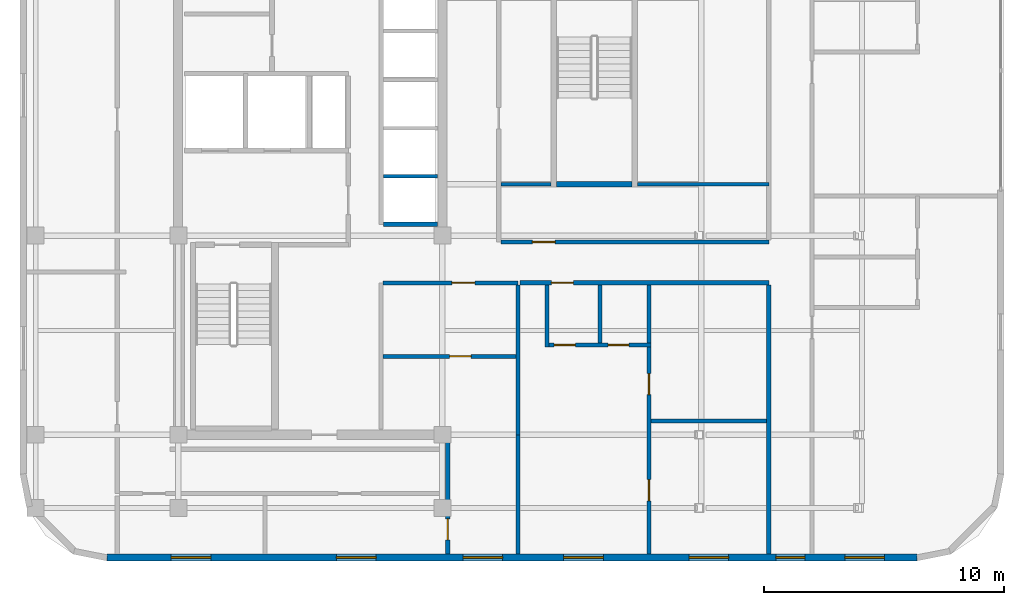
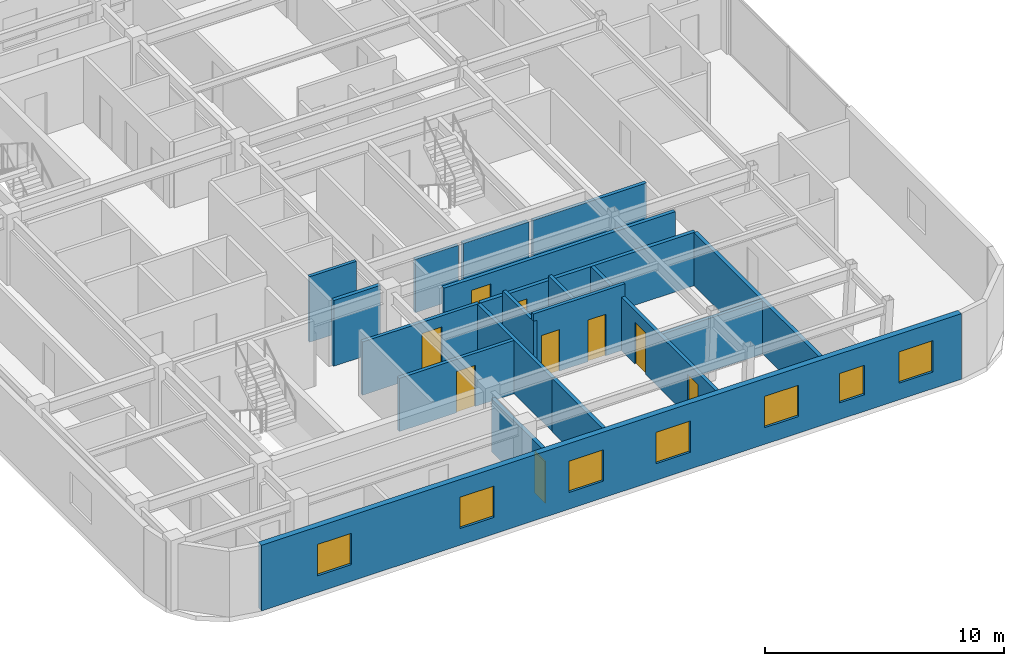
# One storey, part 4 of 9: 19 walls, 9 doors, 7 windows, 16 openings.
"""IFC4 building model written with IfcOpenShell, lengths in metres."""

from ifc_helpers import new_model, si_unit, direction, frame, frame_2d, origin, place, context, subcontext, project, spatial, rectangle, extrude, material, layer, layer_set, type_object, element, fill, save


model = new_model("IFC4")

# Units and contexts
model_context = context("Model", 3, precision=1e-05, world=origin(), true_north=direction((0.0, 1.0)))
body_context = subcontext(model_context, "Body", "Model", "MODEL_VIEW")
ifc_project = project(units=[si_unit("LENGTHUNIT", "METRE"), si_unit("AREAUNIT", "SQUARE_METRE"), si_unit("VOLUMEUNIT", "CUBIC_METRE"), si_unit("PLANEANGLEUNIT", "RADIAN"), si_unit("MASSUNIT", "GRAM", prefix="KILO")], contexts=[model_context])

# Site, building, storey
site_placement = place(None, origin())
site = spatial("IfcSite", under=ifc_project, at=site_placement, CompositionType="ELEMENT")
building_placement = place(site_placement, origin())
building = spatial("IfcBuilding", under=site, at=building_placement, Name="Ochreholt Gables", CompositionType="ELEMENT")
storey_placement = place(building_placement, frame((0.0, 0.0, 169.800048828125)))
storey = spatial("IfcBuildingStorey", under=building, at=storey_placement, Name="L44", CompositionType="ELEMENT", Elevation=169.800048828125)

# Wall, openings, windows
ifc_material_1 = material(Name="Precast concrete 40 MPa", Category="concrete")
ifc_layer_1 = layer(ifc_material_1, 0.280029296875, Name="Precast concrete 40 MPa")
ifc_layer_set_1 = layer_set([ifc_layer_1], Name="Precast concrete 40 MPa")
wall_type_1 = type_object("IfcWallType", Name="WALL-EXT-280", PredefinedType="SOLIDWALL", material=ifc_layer_set_1)
wall_1_placement = place(storey_placement, frame((21.219970703125, 4.139892578125, 0.0), z_axis=(0.0, 0.0, 1.0), x_axis=(1.0, 0.0, 0.0)))
wall_1 = element("IfcWall", 1, at=wall_1_placement, inside=storey, type_object=wall_type_1, Name="L44 South Exterior Wall", PredefinedType="SOLIDWALL", context=body_context, shape_type="SweptSolid", body=[
    extrude(rectangle(XDim=33.760009765625, YDim=0.280029296875, at=frame_2d((16.8798828125, 0.0))), origin(), (0.0, 0.0, 1.0), 3.349853515625),
])
opening_1_placement = place(wall_1_placement, frame((2.679931640625, 0.0, 0.85009765625)))
opening_1 = element("IfcOpeningElement", 2, at=opening_1_placement, cuts=wall_1, Name="Opening WN-7", PredefinedType="OPENING", context=body_context, shape_type="SweptSolid", body=[
    extrude(rectangle(XDim=1.64990234375, YDim=1.60009765625, at=frame_2d((0.824951171875, 0.800048828125))), frame((0.0, 0.14990234375, 0.0), z_axis=(0.0, -1.0, 0.0), x_axis=(1.0, 0.0, 0.0)), (0.0, 0.0, 1.0), 0.300048828125),
])
opening_2_placement = place(wall_1_placement, frame((9.56494140625, 0.0, 0.85009765625)))
opening_2 = element("IfcOpeningElement", 3, at=opening_2_placement, cuts=wall_1, Name="Opening WN-7", PredefinedType="OPENING", context=body_context, shape_type="SweptSolid", body=[
    extrude(rectangle(XDim=1.64990234375, YDim=1.60009765625, at=frame_2d((0.824951171875, 0.800048828125))), frame((0.0, 0.14990234375, 0.0), z_axis=(0.0, -1.0, 0.0), x_axis=(1.0, 0.0, 0.0)), (0.0, 0.0, 1.0), 0.300048828125),
])
opening_3_placement = place(wall_1_placement, frame((14.840087890625, 0.0, 0.85009765625)))
opening_3 = element("IfcOpeningElement", 4, at=opening_3_placement, cuts=wall_1, Name="Opening WN-7", PredefinedType="OPENING", context=body_context, shape_type="SweptSolid", body=[
    extrude(rectangle(XDim=1.64990234375, YDim=1.60009765625, at=frame_2d((0.824951171875, 0.800048828125))), frame((0.0, 0.14990234375, 0.0), z_axis=(0.0, -1.0, 0.0), x_axis=(1.0, 0.0, 0.0)), (0.0, 0.0, 1.0), 0.300048828125),
])
opening_4_placement = place(wall_1_placement, frame((19.034912109375, 0.0, 0.85009765625)))
opening_4 = element("IfcOpeningElement", 5, at=opening_4_placement, cuts=wall_1, Name="Opening WN-7", PredefinedType="OPENING", context=body_context, shape_type="SweptSolid", body=[
    extrude(rectangle(XDim=1.64990234375, YDim=1.60009765625, at=frame_2d((0.824951171875, 0.800048828125))), frame((0.0, 0.14990234375, 0.0), z_axis=(0.0, -1.0, 0.0), x_axis=(1.0, 0.0, 0.0)), (0.0, 0.0, 1.0), 0.300048828125),
])
opening_5_placement = place(wall_1_placement, frame((24.260009765625, 0.0, 0.85009765625)))
opening_5 = element("IfcOpeningElement", 6, at=opening_5_placement, cuts=wall_1, Name="Opening WN-7", PredefinedType="OPENING", context=body_context, shape_type="SweptSolid", body=[
    extrude(rectangle(XDim=1.64990234375, YDim=1.60009765625, at=frame_2d((0.824951171875, 0.800048828125))), frame((0.0, 0.14990234375, 0.0), z_axis=(0.0, -1.0, 0.0), x_axis=(1.0, 0.0, 0.0)), (0.0, 0.0, 1.0), 0.300048828125),
])
opening_6_placement = place(wall_1_placement, frame((27.8798828125, 0.0, 0.85009765625)))
opening_6 = element("IfcOpeningElement", 7, at=opening_6_placement, cuts=wall_1, Name="Opening WN-3", PredefinedType="OPENING", context=body_context, shape_type="SweptSolid", body=[
    extrude(rectangle(XDim=1.199951171875, YDim=1.5, at=frame_2d((0.60009765625, 0.75))), frame((0.0, 0.14990234375, 0.0), z_axis=(0.0, -1.0, 0.0), x_axis=(1.0, 0.0, 0.0)), (0.0, 0.0, 1.0), 0.300048828125),
])
opening_7_placement = place(wall_1_placement, frame((30.7451171875, 0.0, 0.85009765625)))
opening_7 = element("IfcOpeningElement", 8, at=opening_7_placement, cuts=wall_1, Name="Opening WN-7", PredefinedType="OPENING", context=body_context, shape_type="SweptSolid", body=[
    extrude(rectangle(XDim=1.64990234375, YDim=1.60009765625, at=frame_2d((0.824951171875, 0.800048828125))), frame((0.0, 0.14990234375, 0.0), z_axis=(0.0, -1.0, 0.0), x_axis=(1.0, 0.0, 0.0)), (0.0, 0.0, 1.0), 0.300048828125),
])
ifc_material_2 = material(Name="Triple-Glazed Thermally Broken Aluminium Window", Category="aluminium")
window_type_1 = type_object("IfcWindowType", Name="WIN-RES-1200", PartitioningType="SINGLE_PANEL", PredefinedType="WINDOW", material=ifc_material_2)
window_1_placement = place(opening_6_placement, origin())
window_1 = element("IfcWindow", 9, at=window_1_placement, inside=storey, type_object=window_type_1, Name="L44 Window W-EXT-S-L44-6", OverallHeight=1.5, OverallWidth=1.199951171875, PartitioningType="SINGLE_PANEL", PredefinedType="WINDOW", context=body_context, shape_type="SweptSolid", body=[
    extrude(rectangle(XDim=1.199951171875, YDim=1.5, at=frame_2d((0.60009765625, 0.75))), frame((0.0, 0.030029296875, 0.0), z_axis=(0.0, -1.0, 0.0), x_axis=(1.0, 0.0, 0.0)), (0.0, 0.0, 1.0), 0.06005859375),
])
fill(opening_6, window_1)
window_type_2 = type_object("IfcWindowType", Name="WIN-RES-1650", PartitioningType="SINGLE_PANEL", PredefinedType="WINDOW", material=ifc_material_2)
window_2_placement = place(opening_1_placement, origin())
window_2 = element("IfcWindow", 10, at=window_2_placement, inside=storey, type_object=window_type_2, Name="L44 Window W-EXT-S-L44-1", OverallHeight=1.60009765625, OverallWidth=1.64990234375, PartitioningType="SINGLE_PANEL", PredefinedType="WINDOW", context=body_context, shape_type="SweptSolid", body=[
    extrude(rectangle(XDim=1.64990234375, YDim=1.60009765625, at=frame_2d((0.824951171875, 0.800048828125))), frame((0.0, 0.030029296875, 0.0), z_axis=(0.0, -1.0, 0.0), x_axis=(1.0, 0.0, 0.0)), (0.0, 0.0, 1.0), 0.06005859375),
])
fill(opening_1, window_2)
window_3_placement = place(opening_2_placement, origin())
window_3 = element("IfcWindow", 11, at=window_3_placement, inside=storey, type_object=window_type_2, Name="L44 Window W-EXT-S-L44-2", OverallHeight=1.60009765625, OverallWidth=1.64990234375, PartitioningType="SINGLE_PANEL", PredefinedType="WINDOW", context=body_context, shape_type="SweptSolid", body=[
    extrude(rectangle(XDim=1.64990234375, YDim=1.60009765625, at=frame_2d((0.824951171875, 0.800048828125))), frame((0.0, 0.030029296875, 0.0), z_axis=(0.0, -1.0, 0.0), x_axis=(1.0, 0.0, 0.0)), (0.0, 0.0, 1.0), 0.06005859375),
])
fill(opening_2, window_3)
window_4_placement = place(opening_3_placement, origin())
window_4 = element("IfcWindow", 12, at=window_4_placement, inside=storey, type_object=window_type_2, Name="L44 Window W-EXT-S-L44-3", OverallHeight=1.60009765625, OverallWidth=1.64990234375, PartitioningType="SINGLE_PANEL", PredefinedType="WINDOW", context=body_context, shape_type="SweptSolid", body=[
    extrude(rectangle(XDim=1.64990234375, YDim=1.60009765625, at=frame_2d((0.824951171875, 0.800048828125))), frame((0.0, 0.030029296875, 0.0), z_axis=(0.0, -1.0, 0.0), x_axis=(1.0, 0.0, 0.0)), (0.0, 0.0, 1.0), 0.06005859375),
])
fill(opening_3, window_4)
window_5_placement = place(opening_4_placement, origin())
window_5 = element("IfcWindow", 13, at=window_5_placement, inside=storey, type_object=window_type_2, Name="L44 Window W-EXT-S-L44-4", OverallHeight=1.60009765625, OverallWidth=1.64990234375, PartitioningType="SINGLE_PANEL", PredefinedType="WINDOW", context=body_context, shape_type="SweptSolid", body=[
    extrude(rectangle(XDim=1.64990234375, YDim=1.60009765625, at=frame_2d((0.824951171875, 0.800048828125))), frame((0.0, 0.030029296875, 0.0), z_axis=(0.0, -1.0, 0.0), x_axis=(1.0, 0.0, 0.0)), (0.0, 0.0, 1.0), 0.06005859375),
])
fill(opening_4, window_5)
window_6_placement = place(opening_5_placement, origin())
window_6 = element("IfcWindow", 14, at=window_6_placement, inside=storey, type_object=window_type_2, Name="L44 Window W-EXT-S-L44-5", OverallHeight=1.60009765625, OverallWidth=1.64990234375, PartitioningType="SINGLE_PANEL", PredefinedType="WINDOW", context=body_context, shape_type="SweptSolid", body=[
    extrude(rectangle(XDim=1.64990234375, YDim=1.60009765625, at=frame_2d((0.824951171875, 0.800048828125))), frame((0.0, 0.030029296875, 0.0), z_axis=(0.0, -1.0, 0.0), x_axis=(1.0, 0.0, 0.0)), (0.0, 0.0, 1.0), 0.06005859375),
])
fill(opening_5, window_6)
window_7_placement = place(opening_7_placement, origin())
window_7 = element("IfcWindow", 15, at=window_7_placement, inside=storey, type_object=window_type_2, Name="L44 Window W-EXT-S-L44-7", OverallHeight=1.60009765625, OverallWidth=1.64990234375, PartitioningType="SINGLE_PANEL", PredefinedType="WINDOW", context=body_context, shape_type="SweptSolid", body=[
    extrude(rectangle(XDim=1.64990234375, YDim=1.60009765625, at=frame_2d((0.824951171875, 0.800048828125))), frame((0.0, 0.030029296875, 0.0), z_axis=(0.0, -1.0, 0.0), x_axis=(1.0, 0.0, 0.0)), (0.0, 0.0, 1.0), 0.06005859375),
])
fill(opening_7, window_7)

# Wall, opening, door
ifc_material_3 = material(Name="Fire-Rated Gypsum Acoustic Partition", Category="gypsum")
ifc_layer_2 = layer(ifc_material_3, 0.179931640625, Name="Fire-Rated Gypsum Acoustic Partition")
ifc_layer_set_2 = layer_set([ifc_layer_2], Name="Fire-Rated Gypsum Acoustic Partition")
wall_type_2 = type_object("IfcWallType", Name="WALL-INT-CR180", PredefinedType="STANDARD", material=ifc_layer_set_2)
wall_2_placement = place(storey_placement, frame((38.4326171875, 15.580078125, 0.0), z_axis=(0.0, 0.0, 1.0), x_axis=(1.0, 0.0, 0.0)))
wall_2 = element("IfcWall", 16, at=wall_2_placement, inside=storey, type_object=wall_type_2, Name="L44 Interior Wall WI-C2SS1-L44", PredefinedType="STANDARD", context=body_context, shape_type="SweptSolid", body=[
    extrude(rectangle(XDim=10.367431640625, YDim=0.179931640625, at=frame_2d((5.18359375, 0.0))), origin(), (0.0, 0.0, 1.0), 2.719970703125),
])
opening_8_placement = place(wall_2_placement, frame((1.3076171875, 0.0, 0.0)))
opening_8 = element("IfcOpeningElement", 17, at=opening_8_placement, cuts=wall_2, Name="Opening D-UN1", PredefinedType="OPENING", context=body_context, shape_type="SweptSolid", body=[
    extrude(rectangle(XDim=0.919921875, YDim=2.14990234375, at=frame_2d((0.4599609375, 1.074951171875))), frame((0.0, 0.099853515625, 0.0), z_axis=(0.0, -1.0, 0.0), x_axis=(1.0, 0.0, 0.0)), (0.0, 0.0, 1.0), 0.199951171875),
])
ifc_material_4 = material(Name="Engineered Oak Timber", Category="wood")
door_type_1 = type_object("IfcDoorType", Name="DR-INT-UNT920", OperationType="NOTDEFINED", PredefinedType="DOOR", material=ifc_material_4)
door_1_placement = place(opening_8_placement, origin())
door_1 = element("IfcDoor", 18, at=door_1_placement, inside=storey, type_object=door_type_1, Name="L44 Door D-U-L44S1-ENT", OperationType="SINGLE_SWING_RIGHT", OverallHeight=2.14990234375, OverallWidth=0.919921875, PredefinedType="DOOR", context=body_context, shape_type="SweptSolid", body=[
    extrude(rectangle(XDim=0.919921875, YDim=2.14990234375, at=frame_2d((0.4599609375, 1.074951171875))), frame((0.0, 0.02490234375, 0.0), z_axis=(0.0, -1.0, 0.0), x_axis=(1.0, 0.0, 0.0)), (0.0, 0.0, 1.0), 0.050048828125),
])
fill(opening_8, door_1)

wall_3_placement = place(storey_placement, frame((37.639892578125, 17.280029296875, 0.0), z_axis=(0.0, 0.0, 1.0), x_axis=(1.0, 0.0, 0.0)))
wall_3 = element("IfcWall", 19, at=wall_3_placement, inside=storey, type_object=wall_type_2, Name="L44 Interior Wall WI-C2SS2-L44", PredefinedType="STANDARD", context=body_context, shape_type="SweptSolid", body=[
    extrude(rectangle(XDim=11.16015625, YDim=0.179931640625, at=frame_2d((5.580078125, 0.0))), origin(), (0.0, 0.0, 1.0), 2.719970703125),
])
opening_9_placement = place(wall_3_placement, frame((1.31005859375, 0.0, 0.0)))
opening_9 = element("IfcOpeningElement", 20, at=opening_9_placement, cuts=wall_3, Name="Opening D-GN1", PredefinedType="OPENING", context=body_context, shape_type="SweptSolid", body=[
    extrude(rectangle(XDim=0.949951171875, YDim=2.14990234375, at=frame_2d((0.47509765625, 1.074951171875))), frame((0.0, 0.099853515625, 0.0), z_axis=(0.0, -1.0, 0.0), x_axis=(1.0, 0.0, 0.0)), (0.0, 0.0, 1.0), 0.199951171875),
])
door_type_2 = type_object("IfcDoorType", Name="DR-INT-GEN950", OperationType="NOTDEFINED", PredefinedType="DOOR", material=ifc_material_4)
door_2_placement = place(opening_9_placement, origin())
door_2 = element("IfcDoor", 21, at=door_2_placement, inside=storey, type_object=door_type_2, Name="L44 Door D-C2FSL-L44", OperationType="SINGLE_SWING_LEFT", OverallHeight=2.14990234375, OverallWidth=0.949951171875, PredefinedType="DOOR", context=body_context, shape_type="SweptSolid", body=[
    extrude(rectangle(XDim=0.949951171875, YDim=2.14990234375, at=frame_2d((0.47509765625, 1.074951171875))), frame((0.0, 0.02490234375, 0.0), z_axis=(0.0, -1.0, 0.0), x_axis=(1.0, 0.0, 0.0)), (0.0, 0.0, 1.0), 0.050048828125),
])
fill(opening_9, door_2)

# Wall
wall_4_placement = place(storey_placement, frame((48.800048828125, 4.280029296875, 0.0), z_axis=(0.0, 0.0, 1.0), x_axis=(0.0, 1.0, 0.0)))
element("IfcWall", 22, at=wall_4_placement, inside=storey, type_object=wall_type_2, Name="L44 Interior Wall WI-C2FEGW1-L44", PredefinedType="STANDARD", context=body_context, shape_type="SweptSolid", body=[
    extrude(rectangle(XDim=11.2099609375, YDim=0.179931640625, at=frame_2d((5.60498046875, 0.0))), origin(), (0.0, 0.0, 1.0), 2.719970703125),
])

# Wall, opening, door
ifc_material_5 = material(Name="Double-Stud Acoustic Demising Wall", Category="gypsum")
ifc_layer_3 = layer(ifc_material_5, 0.179931640625, Name="Double-Stud Acoustic Demising Wall")
ifc_layer_set_3 = layer_set([ifc_layer_3], Name="Double-Stud Acoustic Demising Wall")
wall_type_3 = type_object("IfcWallType", Name="WALL-INT-DM180", PredefinedType="PARTITIONING", material=ifc_layer_set_3)
wall_5_placement = place(storey_placement, frame((35.419921875, 4.280029296875, 0.0), z_axis=(0.0, 0.0, 1.0), x_axis=(0.0, 1.0, 0.0)))
wall_5 = element("IfcWall", 23, at=wall_5_placement, inside=storey, type_object=wall_type_3, Name="L44 Interior Wall WI-C2SES-L44", PredefinedType="PARTITIONING", context=body_context, shape_type="SweptSolid", body=[
    extrude(rectangle(XDim=4.969970703125, YDim=0.179931640625, at=frame_2d((2.48486328125, 0.0))), origin(), (0.0, 0.0, 1.0), 2.719970703125),
])
opening_10_placement = place(wall_5_placement, frame((0.590087890625, 0.0, 0.0)))
opening_10 = element("IfcOpeningElement", 24, at=opening_10_placement, cuts=wall_5, Name="Opening D-GN2", PredefinedType="OPENING", context=body_context, shape_type="SweptSolid", body=[
    extrude(rectangle(XDim=0.8798828125, YDim=2.1201171875, at=frame_2d((0.43994140625, 1.06005859375))), frame((0.0, 0.099853515625, 0.0), z_axis=(0.0, -1.0, 0.0), x_axis=(1.0, 0.0, 0.0)), (0.0, 0.0, 1.0), 0.199951171875),
])
door_type_3 = type_object("IfcDoorType", Name="DR-INT-GEN880", OperationType="NOTDEFINED", PredefinedType="DOOR", material=ifc_material_4)
door_3_placement = place(opening_10_placement, origin())
door_3 = element("IfcDoor", 25, at=door_3_placement, inside=storey, type_object=door_type_3, Name="L44 Door D-C2SPS-L44", OperationType="SINGLE_SWING_LEFT", OverallHeight=2.1201171875, OverallWidth=0.8798828125, PredefinedType="DOOR", context=body_context, shape_type="SweptSolid", body=[
    extrude(rectangle(XDim=0.8798828125, YDim=2.1201171875, at=frame_2d((0.43994140625, 1.06005859375))), frame((0.0, 0.02490234375, 0.0), z_axis=(0.0, -1.0, 0.0), x_axis=(1.0, 0.0, 0.0)), (0.0, 0.0, 1.0), 0.050048828125),
])
fill(opening_10, door_3)

# Wall
wall_6_placement = place(storey_placement, frame((38.35009765625, 4.280029296875, 0.0), z_axis=(0.0, 0.0, 1.0), x_axis=(0.0, 1.0, 0.0)))
element("IfcWall", 26, at=wall_6_placement, inside=storey, type_object=wall_type_3, Name="L44 Interior Wall WI-C2SEW2-L44", PredefinedType="PARTITIONING", context=body_context, shape_type="SweptSolid", body=[
    extrude(rectangle(XDim=4.969970703125, YDim=0.179931640625, at=frame_2d((2.48486328125, 0.0))), origin(), (0.0, 0.0, 1.0), 2.719970703125),
])

# Wall, openings, doors
ifc_material_6 = material(Name="Moisture-Resistant Plumbing Chase Wall", Category="gypsum")
ifc_layer_4 = layer(ifc_material_6, 0.159912109375, Name="Moisture-Resistant Plumbing Chase Wall")
ifc_layer_set_4 = layer_set([ifc_layer_4], Name="Moisture-Resistant Plumbing Chase Wall")
wall_type_4 = type_object("IfcWallType", Name="WALL-INT-PL160", PredefinedType="PLUMBINGWALL", material=ifc_layer_set_4)
wall_7_placement = place(storey_placement, frame((39.47998046875, 12.992431640625, 0.0), z_axis=(0.0, 0.0, 1.0), x_axis=(1.0, 0.0, 0.0)))
wall_7 = element("IfcWall", 27, at=wall_7_placement, inside=storey, type_object=wall_type_4, Name="L44 Interior Wall WU-L44S1-WY", PredefinedType="PLUMBINGWALL", context=body_context, shape_type="SweptSolid", body=[
    extrude(rectangle(XDim=4.409912109375, YDim=0.159912109375, at=frame_2d((2.205078125, 0.0))), origin(), (0.0, 0.0, 1.0), 3.349853515625),
])
opening_11_placement = place(wall_7_placement, frame((0.3798828125, 0.0, 0.0)))
opening_11 = element("IfcOpeningElement", 28, at=opening_11_placement, cuts=wall_7, Name="Opening D-GN2", PredefinedType="OPENING", context=body_context, shape_type="SweptSolid", body=[
    extrude(rectangle(XDim=0.8798828125, YDim=2.1201171875, at=frame_2d((0.43994140625, 1.06005859375))), frame((0.0, 0.08984375, 0.0), z_axis=(0.0, -1.0, 0.0), x_axis=(1.0, 0.0, 0.0)), (0.0, 0.0, 1.0), 0.179931640625),
])
opening_12_placement = place(wall_7_placement, frame((2.6298828125, 0.0, 0.0)))
opening_12 = element("IfcOpeningElement", 29, at=opening_12_placement, cuts=wall_7, Name="Opening D-BT1", PredefinedType="OPENING", context=body_context, shape_type="SweptSolid", body=[
    extrude(rectangle(XDim=0.860107421875, YDim=2.1201171875, at=frame_2d((0.43017578125, 1.06005859375))), frame((0.0, 0.08984375, 0.0), z_axis=(0.0, -1.0, 0.0), x_axis=(1.0, 0.0, 0.0)), (0.0, 0.0, 1.0), 0.179931640625),
])
door_type_4 = type_object("IfcDoorType", Name="DR-INT-BTH860", OperationType="NOTDEFINED", PredefinedType="DOOR", material=ifc_material_4)
door_4_placement = place(opening_12_placement, origin())
door_4 = element("IfcDoor", 30, at=door_4_placement, inside=storey, type_object=door_type_4, Name="L44 Door D-U-L44S1-BTH", OperationType="SINGLE_SWING_RIGHT", OverallHeight=2.1201171875, OverallWidth=0.860107421875, PredefinedType="DOOR", context=body_context, shape_type="SweptSolid", body=[
    extrude(rectangle(XDim=0.860107421875, YDim=2.1201171875, at=frame_2d((0.43017578125, 1.06005859375))), frame((0.0, 0.02490234375, 0.0), z_axis=(0.0, -1.0, 0.0), x_axis=(1.0, 0.0, 0.0)), (0.0, 0.0, 1.0), 0.050048828125),
])
fill(opening_12, door_4)
door_5_placement = place(opening_11_placement, origin())
door_5 = element("IfcDoor", 31, at=door_5_placement, inside=storey, type_object=door_type_3, Name="L44 Door D-U-L44S1-KIT", OperationType="SINGLE_SWING_LEFT", OverallHeight=2.1201171875, OverallWidth=0.8798828125, PredefinedType="DOOR", context=body_context, shape_type="SweptSolid", body=[
    extrude(rectangle(XDim=0.8798828125, YDim=2.1201171875, at=frame_2d((0.43994140625, 1.06005859375))), frame((0.0, 0.02490234375, 0.0), z_axis=(0.0, -1.0, 0.0), x_axis=(1.0, 0.0, 0.0)), (0.0, 0.0, 1.0), 0.050048828125),
])
fill(opening_11, door_5)

# Walls
wall_8_placement = place(storey_placement, frame((39.56005859375, 12.91259765625, 0.0), z_axis=(0.0, 0.0, 1.0), x_axis=(0.0, 1.0, 0.0)))
element("IfcWall", 32, at=wall_8_placement, inside=storey, type_object=wall_type_4, Name="L44 Interior Wall WU-L44S1-FY", PredefinedType="PLUMBINGWALL", context=body_context, shape_type="SweptSolid", body=[
    extrude(rectangle(XDim=2.577392578125, YDim=0.159912109375, at=frame_2d((1.28857421875, 0.0))), origin(), (0.0, 0.0, 1.0), 2.973876953125),
])
wall_9_placement = place(storey_placement, frame((41.77001953125, 13.072509765625, 0.0), z_axis=(0.0, 0.0, 1.0), x_axis=(0.0, 1.0, 0.0)))
element("IfcWall", 33, at=wall_9_placement, inside=storey, type_object=wall_type_4, Name="L44 Interior Wall WU-L44S1-WK", PredefinedType="PLUMBINGWALL", context=body_context, shape_type="SweptSolid", body=[
    extrude(rectangle(XDim=2.41748046875, YDim=0.159912109375, at=frame_2d((1.208740234375, 0.0))), origin(), (0.0, 0.0, 1.0), 2.973876953125),
])

# Wall, opening, door
ifc_material_7 = material(Name="Gypsum Acoustic Stud Partition", Category="gypsum")
ifc_layer_5 = layer(ifc_material_7, 0.1650390625, Name="Gypsum Acoustic Stud Partition")
ifc_layer_set_5 = layer_set([ifc_layer_5], Name="Gypsum Acoustic Stud Partition")
wall_type_5 = type_object("IfcWallType", Name="WALL-INT-PT165", PredefinedType="PARTITIONING", material=ifc_layer_set_5)
wall_10_placement = place(storey_placement, frame((32.732421875, 15.580078125, 0.0), z_axis=(0.0, 0.0, 1.0), x_axis=(1.0, 0.0, 0.0)))
wall_10 = element("IfcWall", 34, at=wall_10_placement, inside=storey, type_object=wall_type_5, Name="L44 Interior Wall WI-RCL-N-L44", PredefinedType="PARTITIONING", context=body_context, shape_type="SweptSolid", body=[
    extrude(rectangle(XDim=5.61767578125, YDim=0.1650390625, at=frame_2d((2.808837890625, 0.0))), origin(), (0.0, 0.0, 1.0), 2.719970703125),
])
opening_13_placement = place(wall_10_placement, frame((2.867431640625, 0.0, 0.0)))
opening_13 = element("IfcOpeningElement", 35, at=opening_13_placement, cuts=wall_10, Name="Opening D-GN1", PredefinedType="OPENING", context=body_context, shape_type="SweptSolid", body=[
    extrude(rectangle(XDim=0.949951171875, YDim=2.14990234375, at=frame_2d((0.47509765625, 1.074951171875))), frame((0.0, 0.092529296875, 0.0), z_axis=(0.0, -1.0, 0.0), x_axis=(1.0, 0.0, 0.0)), (0.0, 0.0, 1.0), 0.18505859375),
])
door_6_placement = place(opening_13_placement, origin())
door_6 = element("IfcDoor", 36, at=door_6_placement, inside=storey, type_object=door_type_2, Name="L44 Door D-RCL-L44", OperationType="SINGLE_SWING_LEFT", OverallHeight=2.14990234375, OverallWidth=0.949951171875, PredefinedType="DOOR", context=body_context, shape_type="SweptSolid", body=[
    extrude(rectangle(XDim=0.949951171875, YDim=2.14990234375, at=frame_2d((0.47509765625, 1.074951171875))), frame((0.0, 0.02490234375, 0.0), z_axis=(0.0, -1.0, 0.0), x_axis=(1.0, 0.0, 0.0)), (0.0, 0.0, 1.0), 0.050048828125),
])
fill(opening_13, door_6)

# Wall
wall_11_placement = place(storey_placement, frame((38.35009765625, 9.25, 0.0), z_axis=(0.0, 0.0, 1.0), x_axis=(0.0, 1.0, 0.0)))
element("IfcWall", 37, at=wall_11_placement, inside=storey, type_object=wall_type_5, Name="L44 Interior Wall WI-RCL-E-L44", PredefinedType="PARTITIONING", context=body_context, shape_type="SweptSolid", body=[
    extrude(rectangle(XDim=6.24755859375, YDim=0.1650390625, at=frame_2d((3.123779296875, 0.0))), origin(), (0.0, 0.0, 1.0), 2.719970703125),
])

# Wall, opening, door
wall_12_placement = place(storey_placement, frame((32.732421875, 12.52001953125, 0.0), z_axis=(0.0, 0.0, 1.0), x_axis=(1.0, 0.0, 0.0)))
wall_12 = element("IfcWall", 38, at=wall_12_placement, inside=storey, type_object=wall_type_5, Name="L44 Interior Wall WI-RCL-DV-L44", PredefinedType="PARTITIONING", context=body_context, shape_type="SweptSolid", body=[
    extrude(rectangle(XDim=5.53515625, YDim=0.1650390625, at=frame_2d((2.767578125, 0.0))), origin(), (0.0, 0.0, 1.0), 2.719970703125),
])
opening_14_placement = place(wall_12_placement, frame((2.767578125, 0.0, 0.0)))
opening_14 = element("IfcOpeningElement", 39, at=opening_14_placement, cuts=wall_12, Name="Opening D-SV1", PredefinedType="OPENING", context=body_context, shape_type="SweptSolid", body=[
    extrude(rectangle(XDim=0.89990234375, YDim=2.10009765625, at=frame_2d((0.449951171875, 1.050048828125))), frame((0.0, 0.092529296875, 0.0), z_axis=(0.0, -1.0, 0.0), x_axis=(1.0, 0.0, 0.0)), (0.0, 0.0, 1.0), 0.18505859375),
])
ifc_material_8 = material(Name="Hollow Metal Steel", Category="steel")
door_type_5 = type_object("IfcDoorType", Name="DR-INT-SRV900", OperationType="NOTDEFINED", PredefinedType="DOOR", material=ifc_material_8)
door_7_placement = place(opening_14_placement, origin())
door_7 = element("IfcDoor", 40, at=door_7_placement, inside=storey, type_object=door_type_5, Name="L44 Door D-RCLI-L44", OperationType="SINGLE_SWING_RIGHT", OverallHeight=2.10009765625, OverallWidth=0.89990234375, PredefinedType="DOOR", context=body_context, shape_type="SweptSolid", body=[
    extrude(rectangle(XDim=0.89990234375, YDim=2.10009765625, at=frame_2d((0.449951171875, 1.050048828125))), frame((0.0, 0.02490234375, 0.0), z_axis=(0.0, -1.0, 0.0), x_axis=(1.0, 0.0, 0.0)), (0.0, 0.0, 1.0), 0.050048828125),
])
fill(opening_14, door_7)

# Wall, openings, doors
wall_13_placement = place(storey_placement, frame((43.81005859375, 4.280029296875, 0.0), z_axis=(0.0, 0.0, 1.0), x_axis=(0.0, 1.0, 0.0)))
wall_13 = element("IfcWall", 41, at=wall_13_placement, inside=storey, type_object=wall_type_5, Name="L44 Interior Wall WU-L44S1-MNX", PredefinedType="PARTITIONING", context=body_context, shape_type="SweptSolid", body=[
    extrude(rectangle(XDim=11.2099609375, YDim=0.1650390625, at=frame_2d((5.60498046875, 0.0))), origin(), (0.0, 0.0, 1.0), 2.719970703125),
])
opening_15_placement = place(wall_13_placement, frame((2.219970703125, 0.0, 0.0)))
opening_15 = element("IfcOpeningElement", 42, at=opening_15_placement, cuts=wall_13, Name="Opening D-BD2", PredefinedType="OPENING", context=body_context, shape_type="SweptSolid", body=[
    extrude(rectangle(XDim=0.8798828125, YDim=2.139892578125, at=frame_2d((0.43994140625, 1.06982421875))), frame((0.0, 0.092529296875, 0.0), z_axis=(0.0, -1.0, 0.0), x_axis=(1.0, 0.0, 0.0)), (0.0, 0.0, 1.0), 0.18505859375),
])
opening_16_placement = place(wall_13_placement, frame((6.641357421875, 0.0, 0.0)))
opening_16 = element("IfcOpeningElement", 43, at=opening_16_placement, cuts=wall_13, Name="Opening D-GN2", PredefinedType="OPENING", context=body_context, shape_type="SweptSolid", body=[
    extrude(rectangle(XDim=0.8798828125, YDim=2.1201171875, at=frame_2d((0.43994140625, 1.06005859375))), frame((0.0, 0.092529296875, 0.0), z_axis=(0.0, -1.0, 0.0), x_axis=(1.0, 0.0, 0.0)), (0.0, 0.0, 1.0), 0.18505859375),
])
door_type_6 = type_object("IfcDoorType", Name="DR-INT-BED880", OperationType="NOTDEFINED", PredefinedType="DOOR", material=ifc_material_4)
door_8_placement = place(opening_15_placement, origin())
door_8 = element("IfcDoor", 44, at=door_8_placement, inside=storey, type_object=door_type_6, Name="L44 Door D-U-L44S1-BD1", OperationType="SINGLE_SWING_RIGHT", OverallHeight=2.139892578125, OverallWidth=0.8798828125, PredefinedType="DOOR", context=body_context, shape_type="SweptSolid", body=[
    extrude(rectangle(XDim=0.8798828125, YDim=2.139892578125, at=frame_2d((0.43994140625, 1.06982421875))), frame((0.0, 0.02490234375, 0.0), z_axis=(0.0, -1.0, 0.0), x_axis=(1.0, 0.0, 0.0)), (0.0, 0.0, 1.0), 0.050048828125),
])
fill(opening_15, door_8)
door_9_placement = place(opening_16_placement, origin())
door_9 = element("IfcDoor", 45, at=door_9_placement, inside=storey, type_object=door_type_3, Name="L44 Door D-U-L44S1-BD2", OperationType="SINGLE_SWING_LEFT", OverallHeight=2.1201171875, OverallWidth=0.8798828125, PredefinedType="DOOR", context=body_context, shape_type="SweptSolid", body=[
    extrude(rectangle(XDim=0.8798828125, YDim=2.1201171875, at=frame_2d((0.43994140625, 1.06005859375))), frame((0.0, 0.02490234375, 0.0), z_axis=(0.0, -1.0, 0.0), x_axis=(1.0, 0.0, 0.0)), (0.0, 0.0, 1.0), 0.050048828125),
])
fill(opening_16, door_9)

# Walls
wall_14_placement = place(storey_placement, frame((43.889892578125, 9.820068359375, 0.0), z_axis=(0.0, 0.0, 1.0), x_axis=(1.0, 0.0, 0.0)))
element("IfcWall", 46, at=wall_14_placement, inside=storey, type_object=wall_type_5, Name="L44 Interior Wall WU-L44S1-RDV", PredefinedType="PARTITIONING", context=body_context, shape_type="SweptSolid", body=[
    extrude(rectangle(XDim=4.820068359375, YDim=0.1650390625, at=frame_2d((2.41015625, 0.0))), origin(), (0.0, 0.0, 1.0), 2.719970703125),
])
wall_15_placement = place(storey_placement, frame((37.639892578125, 19.68994140625, 0.0), z_axis=(0.0, 0.0, 1.0), x_axis=(1.0, 0.0, 0.0)))
element("IfcWall", 47, at=wall_15_placement, inside=storey, type_object=wall_type_5, Name="L44 Interior Wall WI-C2FSWA-L44", PredefinedType="PARTITIONING", context=body_context, shape_type="SweptSolid", body=[
    extrude(rectangle(XDim=2.090087890625, YDim=0.1650390625, at=frame_2d((1.044921875, 0.0))), origin(), (0.0, 0.0, 1.0), 2.719970703125),
])
wall_16_placement = place(storey_placement, frame((43.330078125, 19.68994140625, 0.0), z_axis=(0.0, 0.0, 1.0), x_axis=(1.0, 0.0, 0.0)))
element("IfcWall", 48, at=wall_16_placement, inside=storey, type_object=wall_type_5, Name="L44 Interior Wall WI-C2FSWB-L44", PredefinedType="PARTITIONING", context=body_context, shape_type="SweptSolid", body=[
    extrude(rectangle(XDim=5.469970703125, YDim=0.1650390625, at=frame_2d((2.73486328125, 0.0))), origin(), (0.0, 0.0, 1.0), 2.719970703125),
])
ifc_material_9 = material(Name="Gypsum Shaftliner and Steel Stud", Category="steel")
ifc_layer_6 = layer(ifc_material_9, 0.14990234375, Name="Gypsum Shaftliner and Steel Stud")
ifc_layer_set_6 = layer_set([ifc_layer_6], Name="Gypsum Shaftliner and Steel Stud")
wall_type_6 = type_object("IfcWallType", Name="WALL-INT-SH150", PredefinedType="STANDARD", material=ifc_layer_set_6)
wall_17_placement = place(storey_placement, frame((32.739990234375, 20.02001953125, 0.0), z_axis=(0.0, 0.0, 1.0), x_axis=(1.0, 0.0, 0.0)))
element("IfcWall", 49, at=wall_17_placement, inside=storey, type_object=wall_type_6, Name="L44 Interior Wall WI-LFHE-DH1-L44", PredefinedType="STANDARD", context=body_context, shape_type="SweptSolid", body=[
    extrude(rectangle(XDim=2.260009765625, YDim=0.14990234375, at=frame_2d((1.1298828125, 0.0))), origin(), (0.0, 0.0, 1.0), 3.349853515625),
])
ifc_layer_7 = layer(ifc_material_9, 0.179931640625, Name="Gypsum Shaftliner and Steel Stud")
ifc_layer_set_7 = layer_set([ifc_layer_7], Name="Gypsum Shaftliner and Steel Stud")
wall_type_7 = type_object("IfcWallType", Name="WALL-INT-SH180", PredefinedType="STANDARD", material=ifc_layer_set_7)
wall_18_placement = place(storey_placement, frame((32.739990234375, 18.02001953125, 0.0), z_axis=(0.0, 0.0, 1.0), x_axis=(1.0, 0.0, 0.0)))
element("IfcWall", 50, at=wall_18_placement, inside=storey, type_object=wall_type_7, Name="L44 Interior Wall WI-LFHE-S-L44", PredefinedType="STANDARD", context=body_context, shape_type="SweptSolid", body=[
    extrude(rectangle(XDim=2.260009765625, YDim=0.179931640625, at=frame_2d((1.1298828125, 0.0))), origin(), (0.0, 0.0, 1.0), 3.349853515625),
])
ifc_material_10 = material(Name="Concrete 50 MPa", Category="concrete")
ifc_layer_8 = layer(ifc_material_10, 0.219970703125, Name="Concrete 50 MPa")
ifc_layer_set_8 = layer_set([ifc_layer_8], Name="Concrete 50 MPa")
wall_type_8 = type_object("IfcWallType", Name="WALL-STW-220", PredefinedType="SHEAR", material=ifc_layer_set_8)
wall_19_placement = place(storey_placement, frame((39.949951171875, 19.68994140625, 0.0), z_axis=(0.0, 0.0, 1.0), x_axis=(1.0, 0.0, 0.0)))
element("IfcWall", 51, at=wall_19_placement, inside=storey, type_object=wall_type_8, Name="L44 Feature Stair ST-C4 South Wall", PredefinedType="SHEAR", context=body_context, shape_type="SweptSolid", body=[
    extrude(rectangle(XDim=3.16015625, YDim=0.219970703125, at=frame_2d((1.580078125, 0.0))), origin(), (0.0, 0.0, 1.0), 2.73828125),
])

save(model, "model.ifc")
